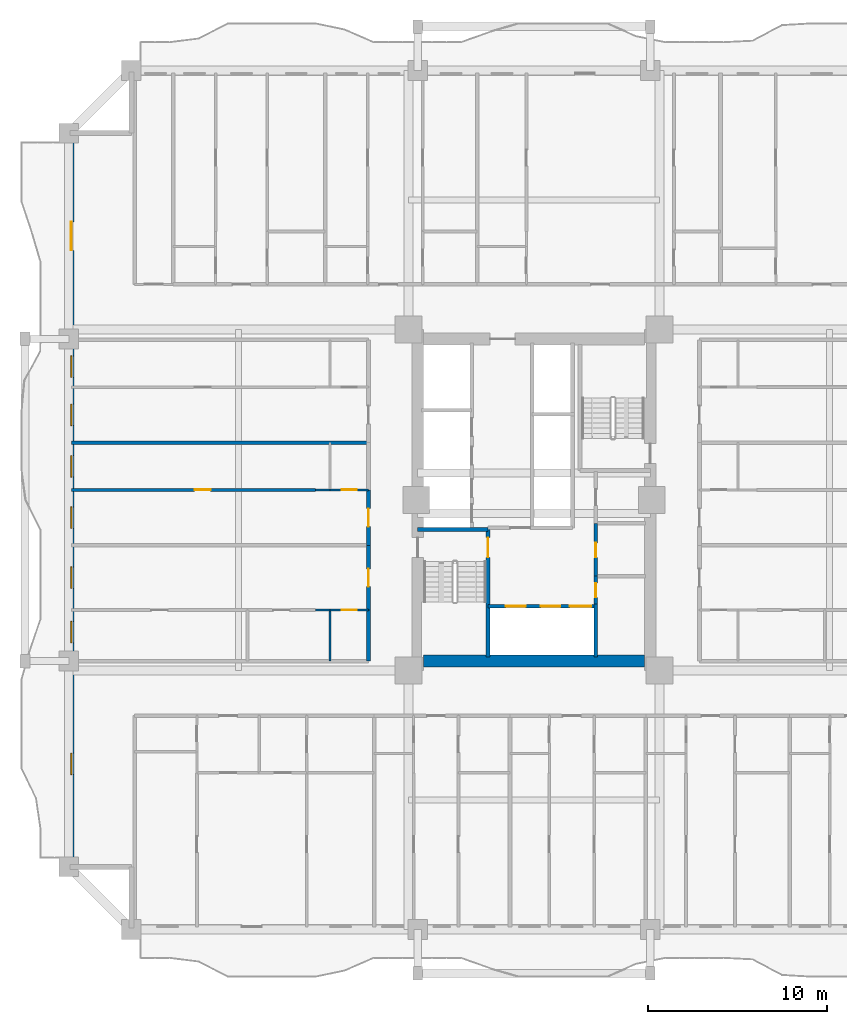
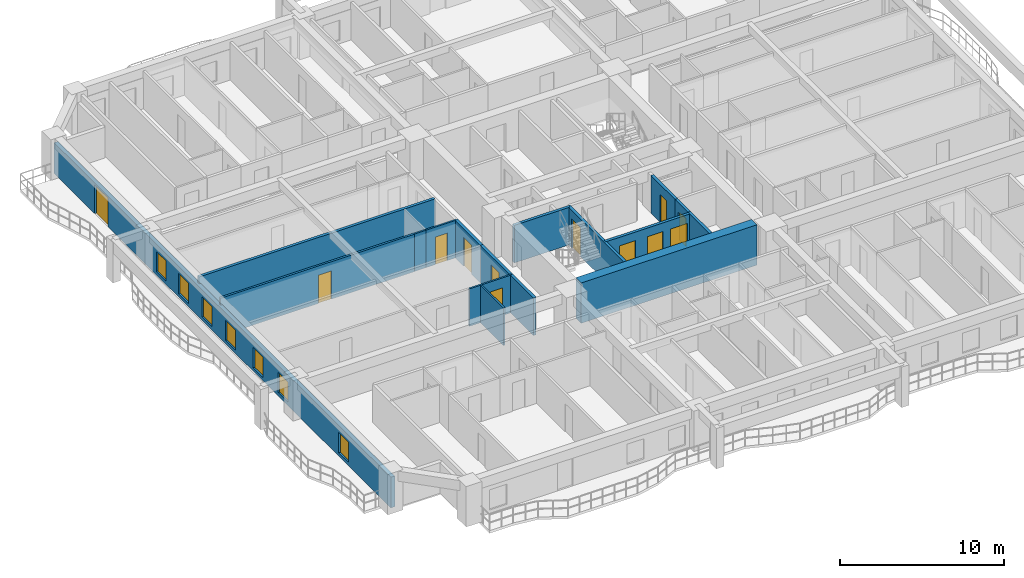
# One storey, part 4 of 16: 18 walls, 12 doors, 7 windows, 19 openings.
"""IFC4 building model written with IfcOpenShell, lengths in metres."""

import ifcopenshell
import ifcopenshell.guid

model = None  # the IFC model being written
_history = None  # IfcOwnerHistory: only IFC2X3 demands one
_inside = {}  # id of a spatial element -> (the spatial element, [elements in it])
_under = {}  # id of a project, library or spatial element -> (it, [spatial elements below it])
_declared = {}  # id of a project -> (the project, [libraries it declares])
_typed = {}  # id of a type object -> (the type object, [elements of that type])
_made_of = {}  # id of a material, layer set ... -> (it, [elements and type objects made of it])


def new_model(schema):
    """Start an empty IFC model of exactly this schema.

    Asked for "IFC4X3", IfcOpenShell would pick the latest addendum, in which some entities
    have other attributes; the version numbers below select the first issue.
    IFC2X3 requires an IfcOwnerHistory on every rooted entity: one is made here for all.
    """
    global model, _history
    if schema == "IFC4X3":
        model = ifcopenshell.file(schema_version=(4, 3, 0, 0))
    else:
        model = ifcopenshell.file(schema=schema)
    _inside.clear()
    _under.clear()
    _declared.clear()
    _typed.clear()
    _made_of.clear()
    _history = None
    if model.schema == "IFC2X3":
        org = make("IfcOrganization", Name="unknown")
        user = make(
            "IfcPersonAndOrganization",
            ThePerson=make("IfcPerson", FamilyName="unknown"),
            TheOrganization=org,
        )
        app = make(
            "IfcApplication",
            ApplicationDeveloper=org,
            Version="unknown",
            ApplicationFullName="unknown",
            ApplicationIdentifier="unknown",
        )
        _history = make(
            "IfcOwnerHistory",
            OwningUser=user,
            OwningApplication=app,
            ChangeAction="ADDED",
            CreationDate=0,
        )
    return model


def make(cls, **values):
    """One entity of the class cls with the attributes given. An attribute that is None is left unset."""
    return model.create_entity(
        cls, **{name: value for name, value in values.items() if value is not None}
    )


def rooted(cls, **values):
    """An entity with a GlobalId (a new one), such as an element, a storey or a relation."""
    return make(cls, GlobalId=ifcopenshell.guid.new(), OwnerHistory=_history, **values)


def si_unit(unit_type, name, prefix=None):
    """IfcSIUnit, for example si_unit("LENGTHUNIT", "METRE", prefix="MILLI")."""
    return make("IfcSIUnit", UnitType=unit_type, Prefix=prefix, Name=name)


def assignment(units):
    """IfcUnitAssignment: the units of a project."""
    return None if units is None else make("IfcUnitAssignment", Units=units)


def point(xyz):
    """IfcCartesianPoint."""
    return None if xyz is None else make("IfcCartesianPoint", Coordinates=xyz)


def direction(xyz):
    """IfcDirection."""
    return None if xyz is None else make("IfcDirection", DirectionRatios=xyz)


def frame(location, z_axis=None, x_axis=None):
    """IfcAxis2Placement3D, a coordinate frame: its origin and axes. An axis left out is left unset."""
    return make(
        "IfcAxis2Placement3D",
        Location=point(location),
        Axis=direction(z_axis),
        RefDirection=direction(x_axis),
    )


def frame_2d(location, x_axis=None):
    """IfcAxis2Placement2D, a coordinate frame in the plane: its origin and x axis."""
    return make(
        "IfcAxis2Placement2D", Location=point(location), RefDirection=direction(x_axis)
    )


def origin():
    """The frame at (0, 0, 0) with its axes left unset."""
    return frame((0.0, 0.0, 0.0))


def place(relative_to, where):
    """IfcLocalPlacement: puts the frame where relative to a parent placement (None: the world)."""
    return make(
        "IfcLocalPlacement", PlacementRelTo=relative_to, RelativePlacement=where
    )


def context(
    kind, dimensions, precision=None, world=None, true_north=None, identifier=None
):
    """IfcGeometricRepresentationContext, for example the 3D "Model" context."""
    return make(
        "IfcGeometricRepresentationContext",
        ContextIdentifier=identifier,
        ContextType=kind,
        CoordinateSpaceDimension=dimensions,
        Precision=precision,
        WorldCoordinateSystem=world,
        TrueNorth=true_north,
    )


def subcontext(parent, identifier, kind, view, scale=None):
    """IfcGeometricRepresentationSubContext, for example "Body" below "Model"."""
    return make(
        "IfcGeometricRepresentationSubContext",
        ContextIdentifier=identifier,
        ContextType=kind,
        ParentContext=parent,
        TargetScale=scale,
        TargetView=view,
    )


def project(units=None, contexts=None):
    """IfcProject with its units and contexts."""
    return rooted(
        "IfcProject",
        Name="project",
        RepresentationContexts=contexts,
        UnitsInContext=assignment(units),
    )


def spatial(cls, under=None, at=None, **own):
    """A site, building, storey or space (cls), placed at a placement, below another one or the project."""
    s = rooted(cls, ObjectPlacement=at, **own)
    if under is not None:
        _under.setdefault(under.id(), (under, []))[1].append(s)
    return s


def profile(cls, at=None, kind="AREA", **sizes):
    """A parametric profile (cls). Its sizes go by their IFC names, for example OverallWidth=200.0."""
    return make(cls, ProfileType=kind, Position=at, **sizes)


def rectangle(**sizes):
    """IfcRectangleProfileDef."""
    return profile("IfcRectangleProfileDef", **sizes)


def extrude(swept, where, along, depth):
    """IfcExtrudedAreaSolid: the profile swept, set in the frame where, extruded along a direction by depth."""
    return make(
        "IfcExtrudedAreaSolid",
        SweptArea=swept,
        Position=where,
        ExtrudedDirection=direction(along),
        Depth=depth,
    )


def shape(context_of_items, identifier, shape_type, items):
    """IfcShapeRepresentation: the items that make up one representation, for example the "Body"."""
    return make(
        "IfcShapeRepresentation",
        ContextOfItems=context_of_items,
        RepresentationIdentifier=identifier,
        RepresentationType=shape_type,
        Items=items,
    )


def source(mapping_origin, context_of_items, identifier, shape_type, items):
    """IfcRepresentationMap: a shape defined once, which mapped items show again and again."""
    return make(
        "IfcRepresentationMap",
        MappingOrigin=mapping_origin,
        MappedRepresentation=shape(context_of_items, identifier, shape_type, items),
    )


def transform(
    local_origin,
    x_axis=None,
    y_axis=None,
    z_axis=None,
    scale=None,
    scale2=None,
    scale3=None,
    uniform=True,
):
    """IfcCartesianTransformationOperator3D, or its non-uniform kind. x_axis, y_axis, z_axis: its Axis1, 2, 3."""
    if uniform:
        return make(
            "IfcCartesianTransformationOperator3D",
            Axis1=direction(x_axis),
            Axis2=direction(y_axis),
            LocalOrigin=point(local_origin),
            Scale=scale,
            Axis3=direction(z_axis),
        )
    return make(
        "IfcCartesianTransformationOperator3DnonUniform",
        Axis1=direction(x_axis),
        Axis2=direction(y_axis),
        LocalOrigin=point(local_origin),
        Scale=scale,
        Axis3=direction(z_axis),
        Scale2=scale2,
        Scale3=scale3,
    )


def mapped(mapping_source, mapping_target):
    """IfcMappedItem: shows the shape of a source again, moved by a transform."""
    return make(
        "IfcMappedItem", MappingSource=mapping_source, MappingTarget=mapping_target
    )


def material(Name=None, Category=None):
    """IfcMaterial."""
    return make("IfcMaterial", Name=Name, Category=Category)


def layer(
    of_material, thickness, ventilated=None, Name=None, Category=None, Priority=None
):
    """IfcMaterialLayer: one layer of a wall or slab, of a material (None: an air gap)."""
    return make(
        "IfcMaterialLayer",
        Material=of_material,
        LayerThickness=thickness,
        IsVentilated=ventilated,
        Name=Name,
        Category=Category,
        Priority=Priority,
    )


def layer_set(layers, Name=None):
    """IfcMaterialLayerSet."""
    return make("IfcMaterialLayerSet", MaterialLayers=layers, LayerSetName=Name)


def made_of(thing, what):
    """Note that an element or type object is made of a material, layer set ...; save() writes the relation."""
    if what is not None:
        _made_of.setdefault(what.id(), (what, []))[1].append(thing)
    return thing


def type_object(cls, material=None, **own):
    """A type object (cls), such as IfcWallType, which elements share."""
    return made_of(rooted(cls, **own), material)


def element(
    cls,
    number,
    at=None,
    inside=None,
    cuts=None,
    type_object=None,
    material=None,
    context=None,
    identifier="Body",
    shape_type=None,
    held_by="IfcProductDefinitionShape",
    body=None,
    shapes=None,
    **own,
):
    """One element of the class cls, such as IfcWall. Its Tag is "e" and its number.

    at: its placement. inside: the storey or other place that contains it. cuts: it is an
    opening in that element (IfcRelVoidsElement). A single representation is given by context,
    identifier, shape_type and body (its items); several are given by shapes. held_by: the class
    of the entity that holds the representations. save() writes the other relations.
    """
    e = rooted(cls, Tag="e%d" % number, ObjectPlacement=at, **own)
    if body is not None:
        shapes = [shape(context, identifier, shape_type, body)]
    if shapes is not None:
        e.Representation = make(held_by, Representations=shapes)
    if inside is not None:
        _inside.setdefault(inside.id(), (inside, []))[1].append(e)
    if cuts is not None:
        rooted(
            "IfcRelVoidsElement", RelatingBuildingElement=cuts, RelatedOpeningElement=e
        )
    if type_object is not None:
        _typed.setdefault(type_object.id(), (type_object, []))[1].append(e)
    return made_of(e, material)


def fill(opening, filler):
    """IfcRelFillsElement: the door or window that sits in an opening."""
    return rooted(
        "IfcRelFillsElement",
        RelatingOpeningElement=opening,
        RelatedBuildingElement=filler,
    )


def aggregate(whole, parts):
    """IfcRelAggregates: a whole, such as a stair, and the parts it consists of."""
    return rooted("IfcRelAggregates", RelatingObject=whole, RelatedObjects=parts)


def save(model, path):
    """Write the relations noted so far, then the file.

    IfcRelAggregates (storeys below a building ...), IfcRelContainedInSpatialStructure (elements
    in a storey), IfcRelDefinesByType, IfcRelAssociatesMaterial and IfcRelDeclares: one each for
    every whole, place, type object, material and project.
    """
    for whole, parts in _under.values():
        aggregate(whole, parts)
    for where, things in _inside.values():
        rooted(
            "IfcRelContainedInSpatialStructure",
            RelatedElements=things,
            RelatingStructure=where,
        )
    for kind, things in _typed.values():
        rooted("IfcRelDefinesByType", RelatedObjects=things, RelatingType=kind)
    for what, things in _made_of.values():
        rooted("IfcRelAssociatesMaterial", RelatedObjects=things, RelatingMaterial=what)
    for by, libraries in _declared.values():
        rooted("IfcRelDeclares", RelatingContext=by, RelatedDefinitions=libraries)
    model.write(path)


model = new_model("IFC4")

# Units and contexts
model_context = context("Model", 3, precision=1e-05, world=origin(), true_north=direction((0.0, 1.0)))
body_context = subcontext(model_context, "Body", "Model", "MODEL_VIEW")
ifc_project = project(units=[si_unit("LENGTHUNIT", "METRE"), si_unit("AREAUNIT", "SQUARE_METRE"), si_unit("VOLUMEUNIT", "CUBIC_METRE"), si_unit("PLANEANGLEUNIT", "RADIAN"), si_unit("MASSUNIT", "GRAM", prefix="KILO")], contexts=[model_context])

# Site, building, storey
site_placement = place(None, origin())
site = spatial("IfcSite", under=ifc_project, at=site_placement, CompositionType="ELEMENT")
building_placement = place(site_placement, origin())
building = spatial("IfcBuilding", under=site, at=building_placement, Name="Saelheon Loggia Tower", CompositionType="ELEMENT")
storey_placement = place(building_placement, frame((0.0, 0.0, 58.39990234375)))
storey = spatial("IfcBuildingStorey", under=building, at=storey_placement, Name="L18", CompositionType="ELEMENT", Elevation=58.39990234375)

# Wall
ifc_material_1 = material(Name="Concrete C60/75", Category="concrete")
ifc_layer_1 = layer(ifc_material_1, 0.64990234375)
ifc_layer_set_1 = layer_set([ifc_layer_1], Name="Concrete C60/75")
wall_type_1 = type_object("IfcWallType", Name="Wall_CoreShear_650", PredefinedType="SHEAR", material=ifc_layer_set_1)
wall_1_placement = place(storey_placement, frame((31.824951171875, 18.0, 0.0), z_axis=(0.0, 0.0, 1.0), x_axis=(1.0, 0.0, 0.0)))
element("IfcWall", 1, at=wall_1_placement, inside=storey, type_object=wall_type_1, Name="L18 Core Shear Wall South", PredefinedType="SHEAR", context=body_context, shape_type="SweptSolid", body=[
    extrude(rectangle(XDim=12.35009765625, YDim=0.64990234375, at=frame_2d((6.175048828125, 0.0))), origin(), (0.0, 0.0, 1.0), 3.0),
])

# Wall, openings, windows, door
ifc_material_2 = material(Name="Architectural Precast Concrete C40/50", Category="concrete")
ifc_layer_2 = layer(ifc_material_2, 0.280029296875)
ifc_layer_set_2 = layer_set([ifc_layer_2], Name="Architectural Precast Concrete C40/50")
wall_type_2 = type_object("IfcWallType", Name="Wall_Ext_Loggia_280", PredefinedType="SOLIDWALL", material=ifc_layer_set_2)
wall_2_placement = place(storey_placement, frame((12.139892578125, 6.5, 0.0), z_axis=(0.0, 0.0, 1.0), x_axis=(0.0, 1.0, 0.0)))
wall_2 = element("IfcWall", 2, at=wall_2_placement, inside=storey, type_object=wall_type_2, Name="L18 West Loggia Inner Wall", PredefinedType="SOLIDWALL", context=body_context, shape_type="SweptSolid", body=[
    extrude(rectangle(XDim=41.0, YDim=0.280029296875, at=frame_2d((20.5, 0.0))), origin(), (0.0, 0.0, 1.0), 2.280029296875),
])
opening_1_placement = place(wall_2_placement, frame((5.14990234375, 0.0, 0.25)))
opening_1 = element("IfcOpeningElement", 3, at=opening_1_placement, cuts=wall_2, Name="Opening WN-03", PredefinedType="OPENING", context=body_context, shape_type="SweptSolid", body=[
    extrude(rectangle(XDim=1.199951171875, YDim=1.5, at=frame_2d((0.60009765625, 0.75))), frame((0.0, 0.152099609375, 0.0), z_axis=(0.0, -1.0, 0.0), x_axis=(1.0, 0.0, 0.0)), (0.0, 0.0, 1.0), 0.303955078125),
])
opening_2_placement = place(wall_2_placement, frame((12.52001953125, 0.0, 0.25)))
opening_2 = element("IfcOpeningElement", 4, at=opening_2_placement, cuts=wall_2, Name="Opening WN-03", PredefinedType="OPENING", context=body_context, shape_type="SweptSolid", body=[
    extrude(rectangle(XDim=1.199951171875, YDim=1.5, at=frame_2d((0.60009765625, 0.75))), frame((0.0, 0.152099609375, 0.0), z_axis=(0.0, -1.0, 0.0), x_axis=(1.0, 0.0, 0.0)), (0.0, 0.0, 1.0), 0.303955078125),
])
opening_3_placement = place(wall_2_placement, frame((15.555908203125, 0.0, 0.25)))
opening_3 = element("IfcOpeningElement", 5, at=opening_3_placement, cuts=wall_2, Name="Opening WN-03", PredefinedType="OPENING", context=body_context, shape_type="SweptSolid", body=[
    extrude(rectangle(XDim=1.199951171875, YDim=1.5, at=frame_2d((0.60009765625, 0.75))), frame((0.0, 0.152099609375, 0.0), z_axis=(0.0, -1.0, 0.0), x_axis=(1.0, 0.0, 0.0)), (0.0, 0.0, 1.0), 0.303955078125),
])
opening_4_placement = place(wall_2_placement, frame((18.912841796875, 0.0, 0.25)))
opening_4 = element("IfcOpeningElement", 6, at=opening_4_placement, cuts=wall_2, Name="Opening WN-03", PredefinedType="OPENING", context=body_context, shape_type="SweptSolid", body=[
    extrude(rectangle(XDim=1.199951171875, YDim=1.5, at=frame_2d((0.60009765625, 0.75))), frame((0.0, 0.152099609375, 0.0), z_axis=(0.0, -1.0, 0.0), x_axis=(1.0, 0.0, 0.0)), (0.0, 0.0, 1.0), 0.303955078125),
])
opening_5_placement = place(wall_2_placement, frame((21.784912109375, 0.0, 0.25)))
opening_5 = element("IfcOpeningElement", 7, at=opening_5_placement, cuts=wall_2, Name="Opening WN-03", PredefinedType="OPENING", context=body_context, shape_type="SweptSolid", body=[
    extrude(rectangle(XDim=1.199951171875, YDim=1.5, at=frame_2d((0.60009765625, 0.75))), frame((0.0, 0.152099609375, 0.0), z_axis=(0.0, -1.0, 0.0), x_axis=(1.0, 0.0, 0.0)), (0.0, 0.0, 1.0), 0.303955078125),
])
opening_6_placement = place(wall_2_placement, frame((24.656982421875, 0.0, 0.25)))
opening_6 = element("IfcOpeningElement", 8, at=opening_6_placement, cuts=wall_2, Name="Opening WN-03", PredefinedType="OPENING", context=body_context, shape_type="SweptSolid", body=[
    extrude(rectangle(XDim=1.199951171875, YDim=1.5, at=frame_2d((0.60009765625, 0.75))), frame((0.0, 0.152099609375, 0.0), z_axis=(0.0, -1.0, 0.0), x_axis=(1.0, 0.0, 0.0)), (0.0, 0.0, 1.0), 0.303955078125),
])
opening_7_placement = place(wall_2_placement, frame((27.35888671875, 0.0, 0.25)))
opening_7 = element("IfcOpeningElement", 9, at=opening_7_placement, cuts=wall_2, Name="Opening WN-03", PredefinedType="OPENING", context=body_context, shape_type="SweptSolid", body=[
    extrude(rectangle(XDim=1.199951171875, YDim=1.5, at=frame_2d((0.60009765625, 0.75))), frame((0.0, 0.152099609375, 0.0), z_axis=(0.0, -1.0, 0.0), x_axis=(1.0, 0.0, 0.0)), (0.0, 0.0, 1.0), 0.303955078125),
])
opening_8_placement = place(wall_2_placement, frame((34.449951171875, 0.0, 0.0)))
opening_8 = element("IfcOpeningElement", 10, at=opening_8_placement, cuts=wall_2, Name="Opening DLG-1", PredefinedType="OPENING", context=body_context, shape_type="SweptSolid", body=[
    extrude(rectangle(XDim=1.60009765625, YDim=2.14990234375, at=frame_2d((0.800048828125, 1.074951171875))), frame((0.0, 0.152099609375, 0.0), z_axis=(0.0, -1.0, 0.0), x_axis=(1.0, 0.0, 0.0)), (0.0, 0.0, 1.0), 0.303955078125),
])
ifc_material_3 = material(Name="Thermal-Break Aluminium and Triple Low-E Glass", Category="aluminium")
window_type = type_object("IfcWindowType", Name="Win_Bedroom_1200x1500", PartitioningType="SINGLE_PANEL", PredefinedType="WINDOW", material=ifc_material_3)
shared_shape_1 = source(origin(), body_context, "Body", "SweptSolid", [
    extrude(rectangle(XDim=1.199951171875, YDim=1.5, at=frame_2d((0.60009765625, 0.75))), frame((0.0, 0.030029296875, 0.0), z_axis=(0.0, -1.0, 0.0), x_axis=(1.0, 0.0, 0.0)), (0.0, 0.0, 1.0), 0.06005859375),
])
window_1_placement = place(opening_1_placement, origin())
window_1 = element("IfcWindow", 11, at=window_1_placement, inside=storey, type_object=window_type, Name="L18 W Dwelling Window 1", OverallHeight=1.5, OverallWidth=1.199951171875, PartitioningType="SINGLE_PANEL", PredefinedType="WINDOW", context=body_context, shape_type="MappedRepresentation", body=[
    mapped(shared_shape_1, transform((0.0, 0.0, 0.0), scale=1.0)),
])
fill(opening_1, window_1)
window_2_placement = place(opening_2_placement, origin())
window_2 = element("IfcWindow", 12, at=window_2_placement, inside=storey, type_object=window_type, Name="L18 W Dwelling Window 2", OverallHeight=1.5, OverallWidth=1.199951171875, PartitioningType="SINGLE_PANEL", PredefinedType="WINDOW", context=body_context, shape_type="MappedRepresentation", body=[
    mapped(shared_shape_1, transform((0.0, 0.0, 0.0), scale=1.0)),
])
fill(opening_2, window_2)
window_3_placement = place(opening_3_placement, origin())
window_3 = element("IfcWindow", 13, at=window_3_placement, inside=storey, type_object=window_type, Name="L18 W Dwelling Window 3", OverallHeight=1.5, OverallWidth=1.199951171875, PartitioningType="SINGLE_PANEL", PredefinedType="WINDOW", context=body_context, shape_type="MappedRepresentation", body=[
    mapped(shared_shape_1, transform((0.0, 0.0, 0.0), scale=1.0)),
])
fill(opening_3, window_3)
window_4_placement = place(opening_4_placement, origin())
window_4 = element("IfcWindow", 14, at=window_4_placement, inside=storey, type_object=window_type, Name="L18 W Dwelling Window 4", OverallHeight=1.5, OverallWidth=1.199951171875, PartitioningType="SINGLE_PANEL", PredefinedType="WINDOW", context=body_context, shape_type="MappedRepresentation", body=[
    mapped(shared_shape_1, transform((0.0, 0.0, 0.0), scale=1.0)),
])
fill(opening_4, window_4)
window_5_placement = place(opening_5_placement, origin())
window_5 = element("IfcWindow", 15, at=window_5_placement, inside=storey, type_object=window_type, Name="L18 W Dwelling Window 5", OverallHeight=1.5, OverallWidth=1.199951171875, PartitioningType="SINGLE_PANEL", PredefinedType="WINDOW", context=body_context, shape_type="MappedRepresentation", body=[
    mapped(shared_shape_1, transform((0.0, 0.0, 0.0), scale=1.0)),
])
fill(opening_5, window_5)
window_6_placement = place(opening_6_placement, origin())
window_6 = element("IfcWindow", 16, at=window_6_placement, inside=storey, type_object=window_type, Name="L18 W Dwelling Window 6", OverallHeight=1.5, OverallWidth=1.199951171875, PartitioningType="SINGLE_PANEL", PredefinedType="WINDOW", context=body_context, shape_type="MappedRepresentation", body=[
    mapped(shared_shape_1, transform((0.0, 0.0, 0.0), scale=1.0)),
])
fill(opening_6, window_6)
window_7_placement = place(opening_7_placement, origin())
window_7 = element("IfcWindow", 17, at=window_7_placement, inside=storey, type_object=window_type, Name="L18 W Dwelling Window 7", OverallHeight=1.5, OverallWidth=1.199951171875, PartitioningType="SINGLE_PANEL", PredefinedType="WINDOW", context=body_context, shape_type="MappedRepresentation", body=[
    mapped(shared_shape_1, transform((0.0, 0.0, 0.0), scale=1.0)),
])
fill(opening_7, window_7)
ifc_material_4 = material(Name="Thermal-Break Aluminium Sliding Glazed Door", Category="aluminium")
door_type_1 = type_object("IfcDoorType", Name="Door_LoggiaSlide_1600", OperationType="SLIDING_TO_LEFT", PredefinedType="DOOR", material=ifc_material_4)
shared_shape_2 = source(origin(), body_context, "Body", "SweptSolid", [
    extrude(rectangle(XDim=1.60009765625, YDim=2.14990234375, at=frame_2d((0.800048828125, 1.074951171875))), frame((0.0, 0.02490234375, 0.0), z_axis=(0.0, -1.0, 0.0), x_axis=(1.0, 0.0, 0.0)), (0.0, 0.0, 1.0), 0.050048828125),
])
door_1_placement = place(opening_8_placement, origin())
door_1 = element("IfcDoor", 18, at=door_1_placement, inside=storey, type_object=door_type_1, Name="L18 W Loggia Access Door", OperationType="SLIDING_TO_LEFT", OverallHeight=2.14990234375, OverallWidth=1.60009765625, PredefinedType="DOOR", context=body_context, shape_type="MappedRepresentation", body=[
    mapped(shared_shape_2, transform((0.0, 0.0, 0.0), scale=1.0)),
])
fill(opening_8, door_1)

# Wall, opening, door
ifc_material_5 = material(Name="Lightweight Autoclaved Aerated Concrete Block and Acoustic Gypsum", Category="concrete")
ifc_layer_3 = layer(ifc_material_5, 0.14990234375)
ifc_layer_set_3 = layer_set([ifc_layer_3], Name="Lightweight Autoclaved Aerated Concrete Block and Acoustic Gypsum")
wall_type_3 = type_object("IfcWallType", Name="Wall_Part_150", PredefinedType="PARTITIONING", material=ifc_layer_set_3)
wall_3_placement = place(storey_placement, frame((25.7900390625, 27.563720703125, 0.0), z_axis=(0.0, 0.0, 1.0), x_axis=(-1.0, 0.0, 0.0)))
wall_3 = element("IfcWall", 19, at=wall_3_placement, inside=storey, type_object=wall_type_3, Name="L18 W Partition U17", PredefinedType="PARTITIONING", context=body_context, shape_type="SweptSolid", body=[
    extrude(rectangle(XDim=13.64013671875, YDim=0.14990234375, at=frame_2d((6.820068359375, 0.0))), origin(), (0.0, 0.0, 1.0), 2.7900390625),
])
opening_9_placement = place(wall_3_placement, frame((5.859130859375, 0.0, 0.0)))
opening_9 = element("IfcOpeningElement", 20, at=opening_9_placement, cuts=wall_3, Name="Opening D-IN2", PredefinedType="OPENING", context=body_context, shape_type="SweptSolid", body=[
    extrude(rectangle(XDim=0.89990234375, YDim=2.10009765625, at=frame_2d((0.449951171875, 1.050048828125))), frame((0.0, 0.0869140625, 0.0), z_axis=(0.0, -1.0, 0.0), x_axis=(1.0, 0.0, 0.0)), (0.0, 0.0, 1.0), 0.173828125),
])
ifc_material_6 = material(Name="Engineered Oak Flush Door", Category="timber")
door_type_2 = type_object("IfcDoorType", Name="Door_Int_900", OperationType="NOTDEFINED", PredefinedType="DOOR", material=ifc_material_6)
shared_shape_3 = source(origin(), body_context, "Body", "SweptSolid", [
    extrude(rectangle(XDim=0.89990234375, YDim=2.10009765625, at=frame_2d((0.449951171875, 1.050048828125))), frame((0.0, 0.02490234375, 0.0), z_axis=(0.0, -1.0, 0.0), x_axis=(1.0, 0.0, 0.0)), (0.0, 0.0, 1.0), 0.050048828125),
])
door_2_placement = place(opening_9_placement, origin())
door_2 = element("IfcDoor", 21, at=door_2_placement, inside=storey, type_object=door_type_2, Name="Unit U11 Kitchen Door", OperationType="SINGLE_SWING_RIGHT", OverallHeight=2.10009765625, OverallWidth=0.89990234375, PredefinedType="DOOR", context=body_context, shape_type="MappedRepresentation", body=[
    mapped(shared_shape_3, transform((0.0, 0.0, 0.0), scale=1.0)),
])
fill(opening_9, door_2)

# Wall
ifc_material_7 = material(Name="Double Acoustic Stud and Fireboard Partition", Category="gypsum")
ifc_layer_4 = layer(ifc_material_7, 0.199951171875)
ifc_layer_set_4 = layer_set([ifc_layer_4], Name="Double Acoustic Stud and Fireboard Partition")
wall_type_4 = type_object("IfcWallType", Name="Wall_Party_200", PredefinedType="PARTITIONING", material=ifc_layer_set_4)
wall_4_placement = place(storey_placement, frame((28.75, 18.0, 0.0), z_axis=(0.0, 0.0, 1.0), x_axis=(0.0, 1.0, 0.0)))
element("IfcWall", 22, at=wall_4_placement, inside=storey, type_object=wall_type_4, Name="L18 W Partition V03", PredefinedType="PARTITIONING", context=body_context, shape_type="SweptSolid", body=[
    extrude(rectangle(XDim=2.85009765625, YDim=0.199951171875, at=frame_2d((1.425048828125, 0.0))), origin(), (0.0, 0.0, 1.0), 2.7900390625),
])

# Wall, opening, door
wall_5_placement = place(storey_placement, frame((28.75, 20.85009765625, 0.0), z_axis=(0.0, 0.0, 1.0), x_axis=(0.0, 1.0, 0.0)))
wall_5 = element("IfcWall", 23, at=wall_5_placement, inside=storey, type_object=wall_type_4, Name="L18 W Partition V04", PredefinedType="PARTITIONING", context=body_context, shape_type="SweptSolid", body=[
    extrude(rectangle(XDim=3.61181640625, YDim=0.199951171875, at=frame_2d((1.805908203125, 0.0))), origin(), (0.0, 0.0, 1.0), 2.7900390625),
])
opening_10_placement = place(wall_5_placement, frame((1.305908203125, 0.0, 0.0)))
opening_10 = element("IfcOpeningElement", 24, at=opening_10_placement, cuts=wall_5, Name="Opening D-FD1", PredefinedType="OPENING", context=body_context, shape_type="SweptSolid", body=[
    extrude(rectangle(XDim=1.0, YDim=2.14990234375, at=frame_2d((0.5, 1.074951171875))), frame((0.0, 0.112060546875, 0.0), z_axis=(0.0, -1.0, 0.0), x_axis=(1.0, 0.0, 0.0)), (0.0, 0.0, 1.0), 0.223876953125),
])
ifc_material_8 = material(Name="Fire-Rated Engineered Timber Entrance Door", Category="wood")
door_type_3 = type_object("IfcDoorType", Name="Door_Flat_FD30S", OperationType="NOTDEFINED", PredefinedType="DOOR", material=ifc_material_8)
shared_shape_4 = source(origin(), body_context, "Body", "SweptSolid", [
    extrude(rectangle(XDim=1.0, YDim=2.14990234375, at=frame_2d((0.5, 1.074951171875))), frame((0.0, 0.02490234375, 0.0), z_axis=(0.0, -1.0, 0.0), x_axis=(1.0, 0.0, 0.0)), (0.0, 0.0, 1.0), 0.050048828125),
])
door_3_placement = place(opening_10_placement, origin())
door_3 = element("IfcDoor", 25, at=door_3_placement, inside=storey, type_object=door_type_3, Name="Unit U10 Entrance Door", OperationType="SINGLE_SWING_RIGHT", OverallHeight=2.14990234375, OverallWidth=1.0, PredefinedType="DOOR", context=body_context, shape_type="MappedRepresentation", body=[
    mapped(shared_shape_4, transform((0.0, 0.0, 0.0), scale=1.0)),
])
fill(opening_10, door_3)

wall_6_placement = place(storey_placement, frame((28.75, 24.4619140625, 0.0), z_axis=(0.0, 0.0, 1.0), x_axis=(0.0, 1.0, 0.0)))
wall_6 = element("IfcWall", 26, at=wall_6_placement, inside=storey, type_object=wall_type_4, Name="L18 W Partition V12", PredefinedType="PARTITIONING", context=body_context, shape_type="SweptSolid", body=[
    extrude(rectangle(XDim=3.101806640625, YDim=0.199951171875, at=frame_2d((1.55078125, 0.0))), origin(), (0.0, 0.0, 1.0), 2.7900390625),
])
opening_11_placement = place(wall_6_placement, frame((1.05078125, 0.0, 0.0)))
opening_11 = element("IfcOpeningElement", 27, at=opening_11_placement, cuts=wall_6, Name="Opening D-FD1", PredefinedType="OPENING", context=body_context, shape_type="SweptSolid", body=[
    extrude(rectangle(XDim=1.0, YDim=2.14990234375, at=frame_2d((0.5, 1.074951171875))), frame((0.0, 0.112060546875, 0.0), z_axis=(0.0, -1.0, 0.0), x_axis=(1.0, 0.0, 0.0)), (0.0, 0.0, 1.0), 0.223876953125),
])
door_4_placement = place(opening_11_placement, origin())
door_4 = element("IfcDoor", 28, at=door_4_placement, inside=storey, type_object=door_type_3, Name="Unit U11 Entrance Door", OperationType="SINGLE_SWING_RIGHT", OverallHeight=2.14990234375, OverallWidth=1.0, PredefinedType="DOOR", context=body_context, shape_type="MappedRepresentation", body=[
    mapped(shared_shape_4, transform((0.0, 0.0, 0.0), scale=1.0)),
])
fill(opening_11, door_4)

# Walls
wall_7_placement = place(storey_placement, frame((28.75, 30.2060546875, 0.0), z_axis=(0.0, 0.0, 1.0), x_axis=(-1.0, 0.0, 0.0)))
element("IfcWall", 29, at=wall_7_placement, inside=storey, type_object=wall_type_4, Name="L18 W Partition U18", PredefinedType="PARTITIONING", context=body_context, shape_type="SweptSolid", body=[
    extrude(rectangle(XDim=16.60009765625, YDim=0.199951171875, at=frame_2d((8.300048828125, 0.0))), origin(), (0.0, 0.0, 1.0), 2.7900390625),
])
ifc_material_9 = material(Name="Concrete C40/50", Category="concrete")
ifc_layer_5 = layer(ifc_material_9, 0.199951171875)
ifc_layer_set_5 = layer_set([ifc_layer_5], Name="Concrete C40/50")
wall_type_5 = type_object("IfcWallType", Name="Wall_Shaft_200", PredefinedType="PARTITIONING", material=ifc_layer_set_5)
wall_8_placement = place(storey_placement, frame((41.449951171875, 18.219970703125, 0.0), z_axis=(0.0, 0.0, 1.0), x_axis=(0.0, 1.0, 0.0)))
element("IfcWall", 30, at=wall_8_placement, inside=storey, type_object=wall_type_5, Name="CW-INT-L18-BOH-W0", PredefinedType="PARTITIONING", context=body_context, shape_type="SweptSolid", body=[
    extrude(rectangle(XDim=2.9599609375, YDim=0.199951171875, at=frame_2d((1.47998046875, 0.0))), origin(), (0.0, 0.0, 1.0), 2.7900390625),
])

# Wall, opening, door
wall_9_placement = place(storey_placement, frame((41.449951171875, 21.179931640625, 0.0), z_axis=(0.0, 0.0, 1.0), x_axis=(0.0, 1.0, 0.0)))
wall_9 = element("IfcWall", 31, at=wall_9_placement, inside=storey, type_object=wall_type_5, Name="CW-INT-L18-BOH-W1", PredefinedType="PARTITIONING", context=body_context, shape_type="SweptSolid", body=[
    extrude(rectangle(XDim=1.570068359375, YDim=0.199951171875, at=frame_2d((0.78515625, 0.0))), origin(), (0.0, 0.0, 1.0), 2.7900390625),
])
opening_12_placement = place(wall_9_placement, frame((0.3798828125, 0.0, 0.0)))
opening_12 = element("IfcOpeningElement", 32, at=opening_12_placement, cuts=wall_9, Name="Opening D-ST1", PredefinedType="OPENING", context=body_context, shape_type="SweptSolid", body=[
    extrude(rectangle(XDim=0.800048828125, YDim=2.050048828125, at=frame_2d((0.39990234375, 1.02490234375))), frame((0.0, 0.112060546875, 0.0), z_axis=(0.0, -1.0, 0.0), x_axis=(1.0, 0.0, 0.0)), (0.0, 0.0, 1.0), 0.223876953125),
])
ifc_material_10 = material(Name="Powder-Coated Steel Store Door", Category="steel")
door_type_4 = type_object("IfcDoorType", Name="Door_Store_800", OperationType="NOTDEFINED", PredefinedType="DOOR", material=ifc_material_10)
shared_shape_5 = source(origin(), body_context, "Body", "SweptSolid", [
    extrude(rectangle(XDim=0.800048828125, YDim=2.050048828125, at=frame_2d((0.39990234375, 1.02490234375))), frame((0.0, 0.02490234375, 0.0), z_axis=(0.0, -1.0, 0.0), x_axis=(1.0, 0.0, 0.0)), (0.0, 0.0, 1.0), 0.050048828125),
])
door_5_placement = place(opening_12_placement, origin())
door_5 = element("IfcDoor", 33, at=door_5_placement, inside=storey, type_object=door_type_4, Name="L18 Cleaner Store Door", OperationType="SINGLE_SWING_LEFT", OverallHeight=2.050048828125, OverallWidth=0.800048828125, PredefinedType="DOOR", context=body_context, shape_type="MappedRepresentation", body=[
    mapped(shared_shape_5, transform((0.0, 0.0, 0.0), scale=1.0)),
])
fill(opening_12, door_5)

wall_10_placement = place(storey_placement, frame((41.449951171875, 22.75, 0.0), z_axis=(0.0, 0.0, 1.0), x_axis=(0.0, 1.0, 0.0)))
wall_10 = element("IfcWall", 34, at=wall_10_placement, inside=storey, type_object=wall_type_5, Name="CW-INT-L18-BOH-W2", PredefinedType="PARTITIONING", context=body_context, shape_type="SweptSolid", body=[
    extrude(rectangle(XDim=2.949951171875, YDim=0.199951171875, at=frame_2d((1.47509765625, 0.0))), origin(), (0.0, 0.0, 1.0), 2.7900390625),
])
opening_13_placement = place(wall_10_placement, frame((1.050048828125, 0.0, 0.0)))
opening_13 = element("IfcOpeningElement", 35, at=opening_13_placement, cuts=wall_10, Name="Opening D-ST1", PredefinedType="OPENING", context=body_context, shape_type="SweptSolid", body=[
    extrude(rectangle(XDim=0.800048828125, YDim=2.050048828125, at=frame_2d((0.39990234375, 1.02490234375))), frame((0.0, 0.112060546875, 0.0), z_axis=(0.0, -1.0, 0.0), x_axis=(1.0, 0.0, 0.0)), (0.0, 0.0, 1.0), 0.223876953125),
])
door_6_placement = place(opening_13_placement, origin())
door_6 = element("IfcDoor", 36, at=door_6_placement, inside=storey, type_object=door_type_4, Name="L18 Electrical Riser Door", OperationType="SINGLE_SWING_RIGHT", OverallHeight=2.050048828125, OverallWidth=0.800048828125, PredefinedType="DOOR", context=body_context, shape_type="MappedRepresentation", body=[
    mapped(shared_shape_5, transform((0.0, 0.0, 0.0), scale=1.0)),
])
fill(opening_13, door_6)

# Wall, openings, doors
wall_11_placement = place(storey_placement, frame((35.429931640625, 21.06005859375, 0.0), z_axis=(0.0, 0.0, 1.0), x_axis=(1.0, 0.0, 0.0)))
wall_11 = element("IfcWall", 37, at=wall_11_placement, inside=storey, type_object=wall_type_5, Name="L18 Firefighting Lift Shaft Front Wall", PredefinedType="PARTITIONING", context=body_context, shape_type="SweptSolid", body=[
    extrude(rectangle(XDim=6.02001953125, YDim=0.199951171875, at=frame_2d((3.010009765625, 0.0))), origin(), (0.0, 0.0, 1.0), 2.7900390625),
])
opening_14_placement = place(wall_11_placement, frame((1.0, 0.0, 0.0)))
opening_14 = element("IfcOpeningElement", 38, at=opening_14_placement, cuts=wall_11, Name="Opening LD2", PredefinedType="OPENING", context=body_context, shape_type="SweptSolid", body=[
    extrude(rectangle(XDim=1.10009765625, YDim=2.14990234375, at=frame_2d((0.550048828125, 1.074951171875))), frame((0.0, 0.112060546875, 0.0), z_axis=(0.0, -1.0, 0.0), x_axis=(1.0, 0.0, 0.0)), (0.0, 0.0, 1.0), 0.223876953125),
])
opening_15_placement = place(wall_11_placement, frame((2.949951171875, 0.0, 0.0)))
opening_15 = element("IfcOpeningElement", 39, at=opening_15_placement, cuts=wall_11, Name="Opening LD2", PredefinedType="OPENING", context=body_context, shape_type="SweptSolid", body=[
    extrude(rectangle(XDim=1.10009765625, YDim=2.14990234375, at=frame_2d((0.550048828125, 1.074951171875))), frame((0.0, 0.112060546875, 0.0), z_axis=(0.0, -1.0, 0.0), x_axis=(1.0, 0.0, 0.0)), (0.0, 0.0, 1.0), 0.223876953125),
])
opening_16_placement = place(wall_11_placement, frame((4.580078125, 0.0, 0.0)))
opening_16 = element("IfcOpeningElement", 40, at=opening_16_placement, cuts=wall_11, Name="Opening LD3", PredefinedType="OPENING", context=body_context, shape_type="SweptSolid", body=[
    extrude(rectangle(XDim=1.199951171875, YDim=2.14990234375, at=frame_2d((0.60009765625, 1.074951171875))), frame((0.0, 0.112060546875, 0.0), z_axis=(0.0, -1.0, 0.0), x_axis=(1.0, 0.0, 0.0)), (0.0, 0.0, 1.0), 0.223876953125),
])
ifc_material_11 = material(Name="Firefighting Stainless Steel 316 Landing Door", Category="steel")
door_type_5 = type_object("IfcDoorType", Name="Door_Lift_LD2", OperationType="DOUBLE_DOOR_SLIDING", PredefinedType="DOOR", material=ifc_material_11)
shared_shape_6 = source(origin(), body_context, "Body", "SweptSolid", [
    extrude(rectangle(XDim=1.10009765625, YDim=2.14990234375, at=frame_2d((0.550048828125, 1.074951171875))), frame((0.0, 0.02490234375, 0.0), z_axis=(0.0, -1.0, 0.0), x_axis=(1.0, 0.0, 0.0)), (0.0, 0.0, 1.0), 0.050048828125),
])
door_7_placement = place(opening_14_placement, origin())
door_7 = element("IfcDoor", 41, at=door_7_placement, inside=storey, type_object=door_type_5, Name="L18 FF1 Landing Door", OperationType="DOUBLE_DOOR_SLIDING", OverallHeight=2.14990234375, OverallWidth=1.10009765625, PredefinedType="DOOR", context=body_context, shape_type="MappedRepresentation", body=[
    mapped(shared_shape_6, transform((0.0, 0.0, 0.0), scale=1.0)),
])
fill(opening_14, door_7)
door_8_placement = place(opening_15_placement, origin())
door_8 = element("IfcDoor", 42, at=door_8_placement, inside=storey, type_object=door_type_5, Name="L18 FF2 Landing Door", OperationType="DOUBLE_DOOR_SLIDING", OverallHeight=2.14990234375, OverallWidth=1.10009765625, PredefinedType="DOOR", context=body_context, shape_type="MappedRepresentation", body=[
    mapped(shared_shape_6, transform((0.0, 0.0, 0.0), scale=1.0)),
])
fill(opening_15, door_8)
ifc_material_12 = material(Name="Stretcher Lift Stainless Steel 304 Landing Door", Category="steel")
door_type_6 = type_object("IfcDoorType", Name="Door_Lift_LD3", OperationType="DOUBLE_DOOR_SLIDING", PredefinedType="DOOR", material=ifc_material_12)
shared_shape_7 = source(origin(), body_context, "Body", "SweptSolid", [
    extrude(rectangle(XDim=1.199951171875, YDim=2.14990234375, at=frame_2d((0.60009765625, 1.074951171875))), frame((0.0, 0.02490234375, 0.0), z_axis=(0.0, -1.0, 0.0), x_axis=(1.0, 0.0, 0.0)), (0.0, 0.0, 1.0), 0.050048828125),
])
door_9_placement = place(opening_16_placement, origin())
door_9 = element("IfcDoor", 43, at=door_9_placement, inside=storey, type_object=door_type_6, Name="L18 SV1 Landing Door", OperationType="DOUBLE_DOOR_SLIDING", OverallHeight=2.14990234375, OverallWidth=1.199951171875, PredefinedType="DOOR", context=body_context, shape_type="MappedRepresentation", body=[
    mapped(shared_shape_7, transform((0.0, 0.0, 0.0), scale=1.0)),
])
fill(opening_16, door_9)

# Wall, opening, door
ifc_material_13 = material(Name="Concrete C45/55", Category="concrete")
ifc_layer_6 = layer(ifc_material_13, 0.199951171875)
ifc_layer_set_6 = layer_set([ifc_layer_6], Name="Concrete C45/55")
wall_type_6 = type_object("IfcWallType", Name="Wall_StairShaft_RC200", PredefinedType="SOLIDWALL", material=ifc_layer_set_6)
wall_12_placement = place(storey_placement, frame((35.429931640625, 18.219970703125, 0.0), z_axis=(0.0, 0.0, 1.0), x_axis=(0.0, 1.0, 0.0)))
wall_12 = element("IfcWall", 44, at=wall_12_placement, inside=storey, type_object=wall_type_6, Name="L18 Stair ST1 Shaft Wall", PredefinedType="SOLIDWALL", context=body_context, shape_type="SweptSolid", body=[
    extrude(rectangle(XDim=7.219970703125, YDim=0.199951171875, at=frame_2d((3.60986328125, 0.0))), origin(), (0.0, 0.0, 1.0), 2.7900390625),
])
opening_17_placement = place(wall_12_placement, frame((6.68017578125, 0.0, 0.0), z_axis=(0.0, 0.0, 1.0), x_axis=(-1.0, 0.0, 0.0)))
opening_17 = element("IfcOpeningElement", 45, at=opening_17_placement, cuts=wall_12, Name="Opening D-FD2", PredefinedType="OPENING", context=body_context, shape_type="SweptSolid", body=[
    extrude(rectangle(XDim=1.10009765625, YDim=2.14990234375, at=frame_2d((0.550048828125, 1.074951171875))), frame((0.0, 0.112060546875, 0.0), z_axis=(0.0, -1.0, 0.0), x_axis=(1.0, 0.0, 0.0)), (0.0, 0.0, 1.0), 0.223876953125),
])
ifc_material_14 = material(Name="Galvanised Steel Fire Door", Category="steel")
door_type_7 = type_object("IfcDoorType", Name="Door_Fire_FD60_1100", OperationType="NOTDEFINED", PredefinedType="DOOR", material=ifc_material_14)
door_10_placement = place(opening_17_placement, origin())
door_10 = element("IfcDoor", 46, at=door_10_placement, inside=storey, type_object=door_type_7, Name="L18 Stair ST1 Lobby Door", OperationType="SINGLE_SWING_LEFT", OverallHeight=2.14990234375, OverallWidth=1.10009765625, PredefinedType="DOOR", context=body_context, shape_type="MappedRepresentation", body=[
    mapped(shared_shape_6, transform((0.0, 0.0, 0.0), scale=1.0)),
])
fill(opening_17, door_10)

# Wall
wall_13_placement = place(storey_placement, frame((31.5, 25.35009765625, 0.0), z_axis=(0.0, 0.0, 1.0), x_axis=(1.0, 0.0, 0.0)))
element("IfcWall", 47, at=wall_13_placement, inside=storey, type_object=wall_type_6, Name="L18 Stair ST1 North Wall", PredefinedType="SOLIDWALL", context=body_context, shape_type="SweptSolid", body=[
    extrude(rectangle(XDim=3.929931640625, YDim=0.199951171875, at=frame_2d((1.96484375, 0.0))), origin(), (0.0, 0.0, 1.0), 2.7900390625),
])

# Wall, opening, door
ifc_material_15 = material(Name="Moisture-Resistant Cement Board Partition", Category="gypsum")
ifc_layer_7 = layer(ifc_material_15, 0.1201171875)
ifc_layer_set_7 = layer_set([ifc_layer_7], Name="Moisture-Resistant Cement Board Partition")
wall_type_7 = type_object("IfcWallType", Name="Wall_WetPart_120", PredefinedType="PARTITIONING", material=ifc_layer_set_7)
wall_14_placement = place(storey_placement, frame((28.75, 20.85009765625, 0.0), z_axis=(0.0, 0.0, 1.0), x_axis=(-1.0, 0.0, 0.0)))
wall_14 = element("IfcWall", 48, at=wall_14_placement, inside=storey, type_object=wall_type_7, Name="L18 W Partition U05", PredefinedType="PARTITIONING", context=body_context, shape_type="SweptSolid", body=[
    extrude(rectangle(XDim=2.14990234375, YDim=0.1201171875, at=frame_2d((1.074951171875, 0.0))), origin(), (0.0, 0.0, 1.0), 2.7900390625),
])
opening_18_placement = place(wall_14_placement, frame((0.64990234375, 0.0, 0.0)))
opening_18 = element("IfcOpeningElement", 49, at=opening_18_placement, cuts=wall_14, Name="Opening D-BT1", PredefinedType="OPENING", context=body_context, shape_type="SweptSolid", body=[
    extrude(rectangle(XDim=0.85009765625, YDim=2.050048828125, at=frame_2d((0.425048828125, 1.02490234375))), frame((0.0, 0.072021484375, 0.0), z_axis=(0.0, -1.0, 0.0), x_axis=(1.0, 0.0, 0.0)), (0.0, 0.0, 1.0), 0.14404296875),
])
ifc_material_16 = material(Name="Moisture-Resistant Laminate Timber Door", Category="wood")
door_type_8 = type_object("IfcDoorType", Name="Door_Bath_850", OperationType="NOTDEFINED", PredefinedType="DOOR", material=ifc_material_16)
shared_shape_8 = source(origin(), body_context, "Body", "SweptSolid", [
    extrude(rectangle(XDim=0.85009765625, YDim=2.050048828125, at=frame_2d((0.425048828125, 1.02490234375))), frame((0.0, 0.02490234375, 0.0), z_axis=(0.0, -1.0, 0.0), x_axis=(1.0, 0.0, 0.0)), (0.0, 0.0, 1.0), 0.050048828125),
])
door_11_placement = place(opening_18_placement, origin())
door_11 = element("IfcDoor", 50, at=door_11_placement, inside=storey, type_object=door_type_8, Name="Unit U10 Bathroom Door", OperationType="SINGLE_SWING_LEFT", OverallHeight=2.050048828125, OverallWidth=0.85009765625, PredefinedType="DOOR", context=body_context, shape_type="MappedRepresentation", body=[
    mapped(shared_shape_8, transform((0.0, 0.0, 0.0), scale=1.0)),
])
fill(opening_18, door_11)

# Walls
wall_15_placement = place(storey_placement, frame((26.60009765625, 20.85009765625, 0.0), z_axis=(0.0, 0.0, 1.0), x_axis=(-1.0, 0.0, 0.0)))
element("IfcWall", 51, at=wall_15_placement, inside=storey, type_object=wall_type_7, Name="L18 W Partition U06", PredefinedType="PARTITIONING", context=body_context, shape_type="SweptSolid", body=[
    extrude(rectangle(XDim=0.81005859375, YDim=0.1201171875, at=frame_2d((0.405029296875, 0.0))), origin(), (0.0, 0.0, 1.0), 2.7900390625),
])
wall_16_placement = place(storey_placement, frame((26.60009765625, 18.0, 0.0), z_axis=(0.0, 0.0, 1.0), x_axis=(0.0, 1.0, 0.0)))
element("IfcWall", 52, at=wall_16_placement, inside=storey, type_object=wall_type_7, Name="L18 W Partition V07", PredefinedType="PARTITIONING", context=body_context, shape_type="SweptSolid", body=[
    extrude(rectangle(XDim=2.85009765625, YDim=0.1201171875, at=frame_2d((1.425048828125, 0.0))), origin(), (0.0, 0.0, 1.0), 2.7900390625),
])

# Wall, opening, door
wall_17_placement = place(storey_placement, frame((28.75, 27.563720703125, 0.0), z_axis=(0.0, 0.0, 1.0), x_axis=(-1.0, 0.0, 0.0)))
wall_17 = element("IfcWall", 53, at=wall_17_placement, inside=storey, type_object=wall_type_7, Name="L18 W Partition U14", PredefinedType="PARTITIONING", context=body_context, shape_type="SweptSolid", body=[
    extrude(rectangle(XDim=2.14990234375, YDim=0.1201171875, at=frame_2d((1.074951171875, 0.0))), origin(), (0.0, 0.0, 1.0), 2.7900390625),
])
opening_19_placement = place(wall_17_placement, frame((0.64990234375, 0.0, 0.0)))
opening_19 = element("IfcOpeningElement", 54, at=opening_19_placement, cuts=wall_17, Name="Opening D-BT1", PredefinedType="OPENING", context=body_context, shape_type="SweptSolid", body=[
    extrude(rectangle(XDim=0.85009765625, YDim=2.050048828125, at=frame_2d((0.425048828125, 1.02490234375))), frame((0.0, 0.072021484375, 0.0), z_axis=(0.0, -1.0, 0.0), x_axis=(1.0, 0.0, 0.0)), (0.0, 0.0, 1.0), 0.14404296875),
])
door_12_placement = place(opening_19_placement, origin())
door_12 = element("IfcDoor", 55, at=door_12_placement, inside=storey, type_object=door_type_8, Name="Unit U11 Bathroom Door", OperationType="SINGLE_SWING_LEFT", OverallHeight=2.050048828125, OverallWidth=0.85009765625, PredefinedType="DOOR", context=body_context, shape_type="MappedRepresentation", body=[
    mapped(shared_shape_8, transform((0.0, 0.0, 0.0), scale=1.0)),
])
fill(opening_19, door_12)

# Wall
wall_18_placement = place(storey_placement, frame((26.60009765625, 27.563720703125, 0.0), z_axis=(0.0, 0.0, 1.0), x_axis=(-1.0, 0.0, 0.0)))
element("IfcWall", 56, at=wall_18_placement, inside=storey, type_object=wall_type_7, Name="L18 W Partition U15", PredefinedType="PARTITIONING", context=body_context, shape_type="SweptSolid", body=[
    extrude(rectangle(XDim=0.81005859375, YDim=0.1201171875, at=frame_2d((0.405029296875, 0.0))), origin(), (0.0, 0.0, 1.0), 2.7900390625),
])

save(model, "model.ifc")
